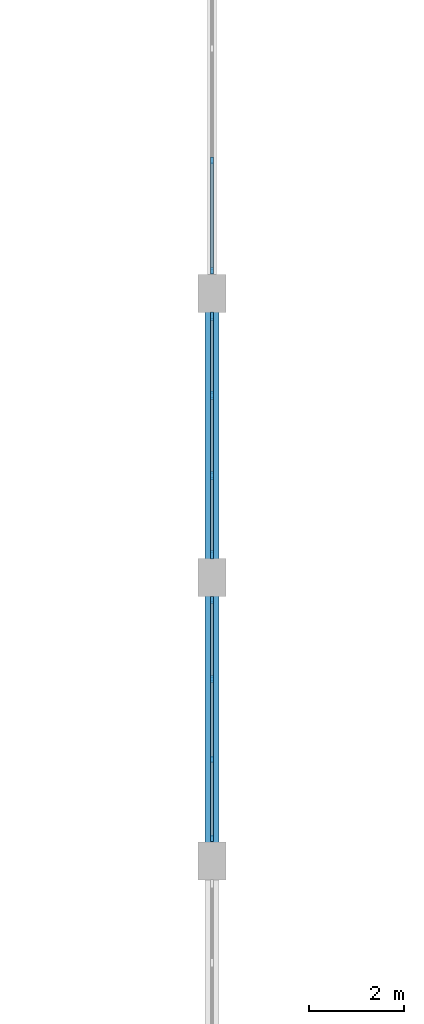
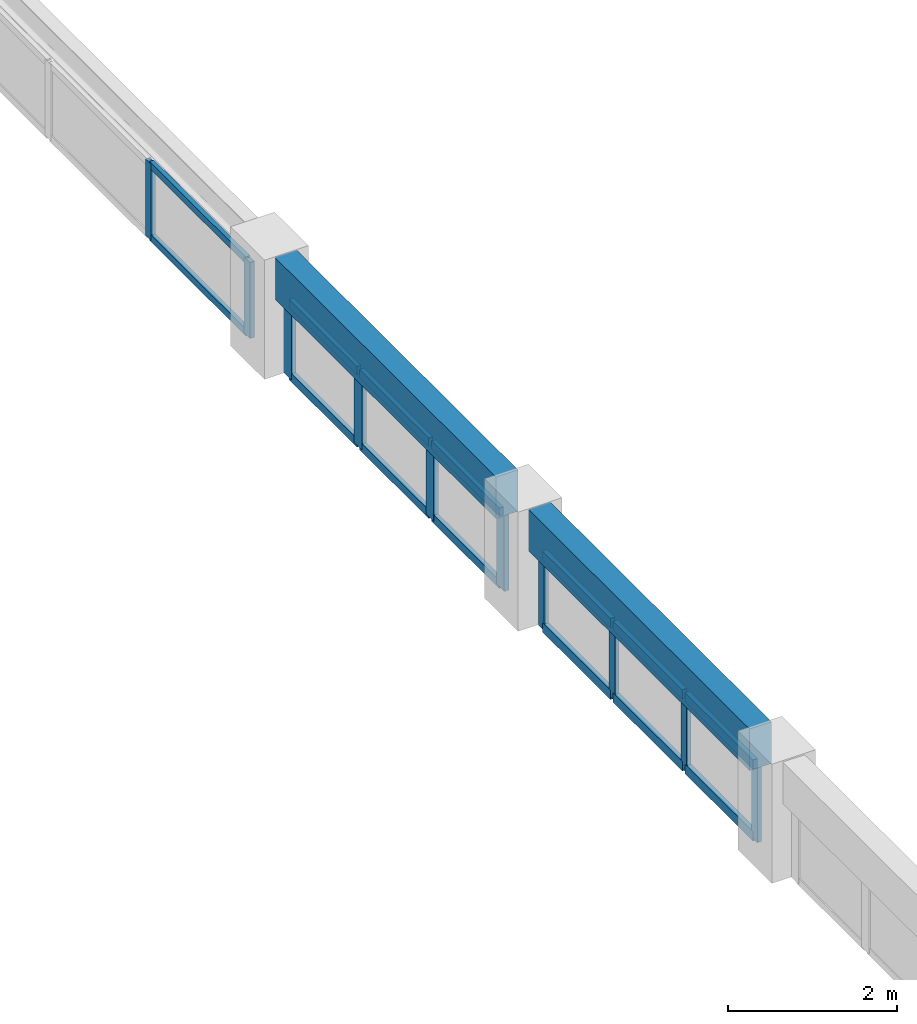
# One storey, part 37 of 137: 24 members, 2 beams, 3 elements without a shape of their own.
"""IFC4 building model written with IfcOpenShell, lengths in metres."""

from ifc_helpers import new_model, si_unit, direction, frame, origin, origin_2d, place, context, subcontext, project, spatial, rectangle, extrude, material, layer, layer_set, material_profile, profile_set, type_object, element, aggregate, save


model = new_model("IFC4")

# Units and contexts
model_context = context("Model", 3, precision=1e-05, world=origin(), true_north=direction((0.0, 1.0)))
body_context = subcontext(model_context, "Body", "Model", "MODEL_VIEW")
ifc_project = project(units=[si_unit("LENGTHUNIT", "METRE"), si_unit("AREAUNIT", "SQUARE_METRE"), si_unit("VOLUMEUNIT", "CUBIC_METRE"), si_unit("PLANEANGLEUNIT", "RADIAN"), si_unit("MASSUNIT", "GRAM", prefix="KILO"), si_unit("POWERUNIT", "WATT"), si_unit("THERMODYNAMICTEMPERATUREUNIT", "KELVIN")], contexts=[model_context])

# Site, building, storey
site_placement = place(None, origin())
site = spatial("IfcSite", under=ifc_project, at=site_placement, CompositionType="ELEMENT")
building_placement = place(site_placement, origin())
building = spatial("IfcBuilding", under=site, at=building_placement, Name="Ruvembo Vaulted Housing Court", CompositionType="ELEMENT")
storey_placement = place(building_placement, frame((0.0, 0.0, 4.5)))
storey = spatial("IfcBuildingStorey", under=building, at=storey_placement, Name="L01", CompositionType="ELEMENT", Elevation=4.5)

# Beams
ifc_material_1 = material(Name="Concrete C35/45", Category="concrete")
ifc_material_profile_1 = material_profile(ifc_material_1, rectangle(XDim=0.300048828125, YDim=0.60009765625, at=origin_2d()), Name="RC 300x600")
ifc_profile_set_1 = profile_set([ifc_material_profile_1], Name="Concrete C35/45")
beam_type = type_object("IfcBeamType", Name="BM-RC-300x600", PredefinedType="BEAM", material=ifc_profile_set_1)
for number, where, z_axis, x_axis, name in (
    (1, (108.0, 48.385009765625, 1.39990234375), (0.0, 1.0, 0.0), (-1.0, 0.0, 0.0), "L01 Grid Beam Y #1393"),
    (2, (108.0, 54.385009765625, 1.39990234375), (0.0, 1.0, 0.0), (-1.0, 0.0, 0.0), "L01 Grid Beam Y #1394"),
):
    element("IfcBeam", number, at=place(storey_placement, frame(where, z_axis=z_axis, x_axis=x_axis)), inside=storey, type_object=beam_type, Name=name, PredefinedType="BEAM", context=body_context, shape_type="SweptSolid", body=[
        extrude(rectangle(XDim=0.300048828125, YDim=0.60009765625, at=origin_2d()), origin(), (0.0, 0.0, 1.0), 5.22998046875),
    ])

# Curtain wall, members
ifc_material_2 = material(Name="Anodised Aluminium and Solar-Control Glass", Category="aluminium")
ifc_layer = layer(ifc_material_2, 0.179931640625, Name="Anodised Aluminium and Solar-Control Glass")
ifc_layer_set = layer_set([ifc_layer], Name="Anodised Aluminium and Solar-Control Glass")
curtain_wall_type = type_object("IfcCurtainWallType", Name="CW-HALL-TYMP", PredefinedType="NOTDEFINED", material=ifc_layer_set)
curtain_wall_1_placement = place(storey_placement, origin())
curtain_wall_1 = element("IfcCurtainWall", 3, at=curtain_wall_1_placement, inside=storey, type_object=curtain_wall_type, Name="L01 Curtain Wall CW-L01-0124", PredefinedType="NOTDEFINED")
ifc_material_3 = material(Name="Anodised Aluminium 6063-T6", Category="aluminium")
ifc_material_profile_2 = material_profile(ifc_material_3, rectangle(XDim=0.06005859375, YDim=0.139892578125, at=origin_2d()), Name="ALU 60x140")
ifc_profile_set_2 = profile_set([ifc_material_profile_2], Name="Anodised Aluminium 6063-T6")
member_type_1 = type_object("IfcMemberType", Name="CW-MUL-60x140", PredefinedType="MULLION", material=ifc_profile_set_2)
member_1_placement = place(storey_placement, frame((108.0, 48.47998046875, 0.0), z_axis=(0.0, 0.0, 1.0), x_axis=(-1.0, 0.0, 0.0)))
member_1 = element("IfcMember", 4, at=member_1_placement, type_object=member_type_1, Name="CW2 mullion 1", PredefinedType="MULLION", context=body_context, shape_type="SweptSolid", body=[
    extrude(rectangle(XDim=0.06005859375, YDim=0.139892578125, at=origin_2d()), origin(), (0.0, 0.0, 1.0), 1.10009765625),
])
member_2_placement = place(storey_placement, frame((108.0, 50.14990234375, 0.0), z_axis=(0.0, 0.0, 1.0), x_axis=(-1.0, 0.0, 0.0)))
member_2 = element("IfcMember", 5, at=member_2_placement, type_object=member_type_1, Name="CW2 mullion 2", PredefinedType="MULLION", context=body_context, shape_type="SweptSolid", body=[
    extrude(rectangle(XDim=0.06005859375, YDim=0.139892578125, at=origin_2d()), origin(), (0.0, 0.0, 1.0), 1.10009765625),
])
member_3_placement = place(storey_placement, frame((108.0, 51.85009765625, 0.0), z_axis=(0.0, 0.0, 1.0), x_axis=(-1.0, 0.0, 0.0)))
member_3 = element("IfcMember", 6, at=member_3_placement, type_object=member_type_1, Name="CW2 mullion 3", PredefinedType="MULLION", context=body_context, shape_type="SweptSolid", body=[
    extrude(rectangle(XDim=0.06005859375, YDim=0.139892578125, at=origin_2d()), origin(), (0.0, 0.0, 1.0), 1.10009765625),
])
member_4_placement = place(storey_placement, frame((108.0, 53.52001953125, 0.0), z_axis=(0.0, 0.0, 1.0), x_axis=(-1.0, 0.0, 0.0)))
member_4 = element("IfcMember", 7, at=member_4_placement, type_object=member_type_1, Name="CW2 mullion 4", PredefinedType="MULLION", context=body_context, shape_type="SweptSolid", body=[
    extrude(rectangle(XDim=0.06005859375, YDim=0.139892578125, at=origin_2d()), origin(), (0.0, 0.0, 1.0), 1.10009765625),
])

curtain_wall_2_placement = place(storey_placement, origin())
curtain_wall_2 = element("IfcCurtainWall", 8, at=curtain_wall_2_placement, inside=storey, type_object=curtain_wall_type, Name="L01 Curtain Wall CW-L01-0128", PredefinedType="NOTDEFINED")
member_5_placement = place(storey_placement, frame((108.0, 60.47998046875, 0.0), z_axis=(0.0, 0.0, 1.0), x_axis=(-1.0, 0.0, 0.0)))
member_5 = element("IfcMember", 9, at=member_5_placement, type_object=member_type_1, Name="CW2 mullion 1", PredefinedType="MULLION", context=body_context, shape_type="SweptSolid", body=[
    extrude(rectangle(XDim=0.06005859375, YDim=0.139892578125, at=origin_2d()), origin(), (0.0, 0.0, 1.0), 1.10009765625),
])
member_6_placement = place(storey_placement, frame((108.0, 62.816650390625, 0.0), z_axis=(0.0, 0.0, 1.0), x_axis=(-1.0, 0.0, 0.0)))
member_6 = element("IfcMember", 10, at=member_6_placement, type_object=member_type_1, Name="CW2 mullion 2", PredefinedType="MULLION", context=body_context, shape_type="SweptSolid", body=[
    extrude(rectangle(XDim=0.06005859375, YDim=0.139892578125, at=origin_2d()), origin(), (0.0, 0.0, 1.0), 1.10009765625),
])

curtain_wall_3_placement = place(storey_placement, origin())
curtain_wall_3 = element("IfcCurtainWall", 11, at=curtain_wall_3_placement, inside=storey, type_object=curtain_wall_type, Name="L01 Curtain Wall CW-L01-0126", PredefinedType="NOTDEFINED")
ifc_material_profile_3 = material_profile(ifc_material_3, rectangle(XDim=0.06494140625, YDim=0.179931640625, at=origin_2d()), Name="ALU 65x180")
ifc_profile_set_3 = profile_set([ifc_material_profile_3], Name="Anodised Aluminium 6063-T6")
member_type_2 = type_object("IfcMemberType", Name="CW-MUL-65x180", PredefinedType="MULLION", material=ifc_profile_set_3)
member_7_placement = place(storey_placement, frame((108.0, 54.482421875, 0.0), z_axis=(0.0, 0.0, 1.0), x_axis=(-1.0, 0.0, 0.0)))
member_7 = element("IfcMember", 12, at=member_7_placement, type_object=member_type_2, Name="CW2 mullion 1", PredefinedType="MULLION", context=body_context, shape_type="SweptSolid", body=[
    extrude(rectangle(XDim=0.06494140625, YDim=0.179931640625, at=origin_2d()), origin(), (0.0, 0.0, 1.0), 1.10009765625),
])
member_8_placement = place(storey_placement, frame((108.0, 56.14990234375, 0.0), z_axis=(0.0, 0.0, 1.0), x_axis=(-1.0, 0.0, 0.0)))
member_8 = element("IfcMember", 13, at=member_8_placement, type_object=member_type_2, Name="CW2 mullion 2", PredefinedType="MULLION", context=body_context, shape_type="SweptSolid", body=[
    extrude(rectangle(XDim=0.06494140625, YDim=0.179931640625, at=origin_2d()), origin(), (0.0, 0.0, 1.0), 1.10009765625),
])
member_9_placement = place(storey_placement, frame((108.0, 57.85009765625, 0.0), z_axis=(0.0, 0.0, 1.0), x_axis=(-1.0, 0.0, 0.0)))
member_9 = element("IfcMember", 14, at=member_9_placement, type_object=member_type_2, Name="CW2 mullion 3", PredefinedType="MULLION", context=body_context, shape_type="SweptSolid", body=[
    extrude(rectangle(XDim=0.06494140625, YDim=0.179931640625, at=origin_2d()), origin(), (0.0, 0.0, 1.0), 1.10009765625),
])
member_10_placement = place(storey_placement, frame((108.0, 59.517578125, 0.0), z_axis=(0.0, 0.0, 1.0), x_axis=(-1.0, 0.0, 0.0)))
member_10 = element("IfcMember", 15, at=member_10_placement, type_object=member_type_2, Name="CW2 mullion 4", PredefinedType="MULLION", context=body_context, shape_type="SweptSolid", body=[
    extrude(rectangle(XDim=0.06494140625, YDim=0.179931640625, at=origin_2d()), origin(), (0.0, 0.0, 1.0), 1.10009765625),
])
ifc_material_profile_4 = material_profile(ifc_material_3, rectangle(XDim=0.06005859375, YDim=0.1201171875, at=origin_2d()), Name="ALU 60x120")
ifc_profile_set_4 = profile_set([ifc_material_profile_4], Name="Anodised Aluminium 6063-T6")
member_type_3 = type_object("IfcMemberType", Name="CW-TRANSOM-65x120", PredefinedType="USERDEFINED", material=ifc_profile_set_4)
member_11_placement = place(storey_placement, frame((108.0, 54.514892578125, 0.030029296875), z_axis=(0.0, 1.0, 0.0), x_axis=(-1.0, 0.0, 0.0)))
member_11 = element("IfcMember", 16, at=member_11_placement, type_object=member_type_3, Name="CW2 transom 1.1", ObjectType="TRANSOM", PredefinedType="USERDEFINED", context=body_context, shape_type="SweptSolid", body=[
    extrude(rectangle(XDim=0.06005859375, YDim=0.1201171875, at=origin_2d()), origin(), (0.0, 0.0, 1.0), 1.6025390625),
])
member_12_placement = place(storey_placement, frame((108.0, 54.514892578125, 1.070068359375), z_axis=(0.0, 1.0, 0.0), x_axis=(-1.0, 0.0, 0.0)))
member_12 = element("IfcMember", 17, at=member_12_placement, type_object=member_type_3, Name="CW2 transom 1.2", ObjectType="TRANSOM", PredefinedType="USERDEFINED", context=body_context, shape_type="SweptSolid", body=[
    extrude(rectangle(XDim=0.06005859375, YDim=0.1201171875, at=origin_2d()), origin(), (0.0, 0.0, 1.0), 1.6025390625),
])
member_13_placement = place(storey_placement, frame((108.0, 56.1826171875, 0.030029296875), z_axis=(0.0, 1.0, 0.0), x_axis=(-1.0, 0.0, 0.0)))
member_13 = element("IfcMember", 18, at=member_13_placement, type_object=member_type_3, Name="CW2 transom 2.1", ObjectType="TRANSOM", PredefinedType="USERDEFINED", context=body_context, shape_type="SweptSolid", body=[
    extrude(rectangle(XDim=0.06005859375, YDim=0.1201171875, at=origin_2d()), origin(), (0.0, 0.0, 1.0), 1.634765625),
])
member_14_placement = place(storey_placement, frame((108.0, 56.1826171875, 1.070068359375), z_axis=(0.0, 1.0, 0.0), x_axis=(-1.0, 0.0, 0.0)))
member_14 = element("IfcMember", 19, at=member_14_placement, type_object=member_type_3, Name="CW2 transom 2.2", ObjectType="TRANSOM", PredefinedType="USERDEFINED", context=body_context, shape_type="SweptSolid", body=[
    extrude(rectangle(XDim=0.06005859375, YDim=0.1201171875, at=origin_2d()), origin(), (0.0, 0.0, 1.0), 1.634765625),
])
member_15_placement = place(storey_placement, frame((108.0, 57.882568359375, 0.030029296875), z_axis=(0.0, 1.0, 0.0), x_axis=(-1.0, 0.0, 0.0)))
member_15 = element("IfcMember", 20, at=member_15_placement, type_object=member_type_3, Name="CW2 transom 3.1", ObjectType="TRANSOM", PredefinedType="USERDEFINED", context=body_context, shape_type="SweptSolid", body=[
    extrude(rectangle(XDim=0.06005859375, YDim=0.1201171875, at=origin_2d()), origin(), (0.0, 0.0, 1.0), 1.6025390625),
])
member_16_placement = place(storey_placement, frame((108.0, 57.882568359375, 1.070068359375), z_axis=(0.0, 1.0, 0.0), x_axis=(-1.0, 0.0, 0.0)))
member_16 = element("IfcMember", 21, at=member_16_placement, type_object=member_type_3, Name="CW2 transom 3.2", ObjectType="TRANSOM", PredefinedType="USERDEFINED", context=body_context, shape_type="SweptSolid", body=[
    extrude(rectangle(XDim=0.06005859375, YDim=0.1201171875, at=origin_2d()), origin(), (0.0, 0.0, 1.0), 1.6025390625),
])
aggregate(curtain_wall_3, [member_7, member_8, member_9, member_10, member_11, member_12, member_13, member_14, member_15, member_16])

# Member
ifc_material_profile_5 = material_profile(ifc_material_3, rectangle(XDim=0.06005859375, YDim=0.10009765625, at=origin_2d()), Name="ALU 60x100")
ifc_profile_set_5 = profile_set([ifc_material_profile_5], Name="Anodised Aluminium 6063-T6")
member_type_4 = type_object("IfcMemberType", Name="CW-TRN-60x100", PredefinedType="USERDEFINED", material=ifc_profile_set_5)
member_17_placement = place(storey_placement, frame((108.0, 60.510009765625, 0.030029296875), z_axis=(0.0, 1.0, 0.0), x_axis=(-1.0, 0.0, 0.0)))
member_17 = element("IfcMember", 22, at=member_17_placement, type_object=member_type_4, Name="CW2 transom 1.1", ObjectType="TRANSOM", PredefinedType="USERDEFINED", context=body_context, shape_type="SweptSolid", body=[
    extrude(rectangle(XDim=0.06005859375, YDim=0.10009765625, at=origin_2d()), origin(), (0.0, 0.0, 1.0), 2.276611328125),
])

member_18_placement = place(storey_placement, frame((108.0, 60.510009765625, 1.070068359375), z_axis=(0.0, 1.0, 0.0), x_axis=(-1.0, 0.0, 0.0)))
member_18 = element("IfcMember", 23, at=member_18_placement, type_object=member_type_4, Name="CW2 transom 1.2", ObjectType="TRANSOM", PredefinedType="USERDEFINED", context=body_context, shape_type="SweptSolid", body=[
    extrude(rectangle(XDim=0.06005859375, YDim=0.10009765625, at=origin_2d()), origin(), (0.0, 0.0, 1.0), 2.276611328125),
])

aggregate(curtain_wall_2, [member_5, member_6, member_17, member_18])

ifc_material_profile_6 = material_profile(ifc_material_3, rectangle(XDim=0.06494140625, YDim=0.135009765625, at=origin_2d()), Name="ALU 65x135")
ifc_profile_set_6 = profile_set([ifc_material_profile_6], Name="Anodised Aluminium 6063-T6")
member_type_5 = type_object("IfcMemberType", Name="CW-TRN-65x135", PredefinedType="USERDEFINED", material=ifc_profile_set_6)
member_19_placement = place(storey_placement, frame((108.0, 48.510009765625, 0.032470703125), z_axis=(0.0, 1.0, 0.0), x_axis=(-1.0, 0.0, 0.0)))
member_19 = element("IfcMember", 24, at=member_19_placement, type_object=member_type_5, Name="CW2 transom 1.1", ObjectType="TRANSOM", PredefinedType="USERDEFINED", context=body_context, shape_type="SweptSolid", body=[
    extrude(rectangle(XDim=0.06494140625, YDim=0.135009765625, at=origin_2d()), origin(), (0.0, 0.0, 1.0), 1.610107421875),
])

member_20_placement = place(storey_placement, frame((108.0, 48.510009765625, 1.0673828125), z_axis=(0.0, 1.0, 0.0), x_axis=(-1.0, 0.0, 0.0)))
member_20 = element("IfcMember", 25, at=member_20_placement, type_object=member_type_5, Name="CW2 transom 1.2", ObjectType="TRANSOM", PredefinedType="USERDEFINED", context=body_context, shape_type="SweptSolid", body=[
    extrude(rectangle(XDim=0.06494140625, YDim=0.135009765625, at=origin_2d()), origin(), (0.0, 0.0, 1.0), 1.610107421875),
])

member_21_placement = place(storey_placement, frame((108.0, 50.179931640625, 0.032470703125), z_axis=(0.0, 1.0, 0.0), x_axis=(-1.0, 0.0, 0.0)))
member_21 = element("IfcMember", 26, at=member_21_placement, type_object=member_type_5, Name="CW2 transom 2.1", ObjectType="TRANSOM", PredefinedType="USERDEFINED", context=body_context, shape_type="SweptSolid", body=[
    extrude(rectangle(XDim=0.06494140625, YDim=0.135009765625, at=origin_2d()), origin(), (0.0, 0.0, 1.0), 1.64013671875),
])

member_22_placement = place(storey_placement, frame((108.0, 50.179931640625, 1.0673828125), z_axis=(0.0, 1.0, 0.0), x_axis=(-1.0, 0.0, 0.0)))
member_22 = element("IfcMember", 27, at=member_22_placement, type_object=member_type_5, Name="CW2 transom 2.2", ObjectType="TRANSOM", PredefinedType="USERDEFINED", context=body_context, shape_type="SweptSolid", body=[
    extrude(rectangle(XDim=0.06494140625, YDim=0.135009765625, at=origin_2d()), origin(), (0.0, 0.0, 1.0), 1.64013671875),
])

member_23_placement = place(storey_placement, frame((108.0, 51.8798828125, 0.032470703125), z_axis=(0.0, 1.0, 0.0), x_axis=(-1.0, 0.0, 0.0)))
member_23 = element("IfcMember", 28, at=member_23_placement, type_object=member_type_5, Name="CW2 transom 3.1", ObjectType="TRANSOM", PredefinedType="USERDEFINED", context=body_context, shape_type="SweptSolid", body=[
    extrude(rectangle(XDim=0.06494140625, YDim=0.135009765625, at=origin_2d()), origin(), (0.0, 0.0, 1.0), 1.610107421875),
])

member_24_placement = place(storey_placement, frame((108.0, 51.8798828125, 1.0673828125), z_axis=(0.0, 1.0, 0.0), x_axis=(-1.0, 0.0, 0.0)))
member_24 = element("IfcMember", 29, at=member_24_placement, type_object=member_type_5, Name="CW2 transom 3.2", ObjectType="TRANSOM", PredefinedType="USERDEFINED", context=body_context, shape_type="SweptSolid", body=[
    extrude(rectangle(XDim=0.06494140625, YDim=0.135009765625, at=origin_2d()), origin(), (0.0, 0.0, 1.0), 1.610107421875),
])

aggregate(curtain_wall_1, [member_1, member_2, member_3, member_4, member_19, member_20, member_21, member_22, member_23, member_24])

save(model, "model.ifc")
